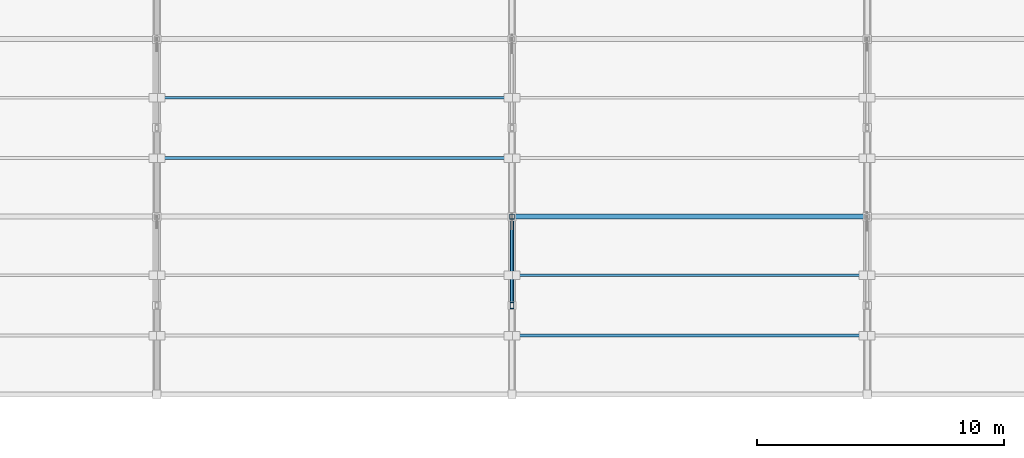
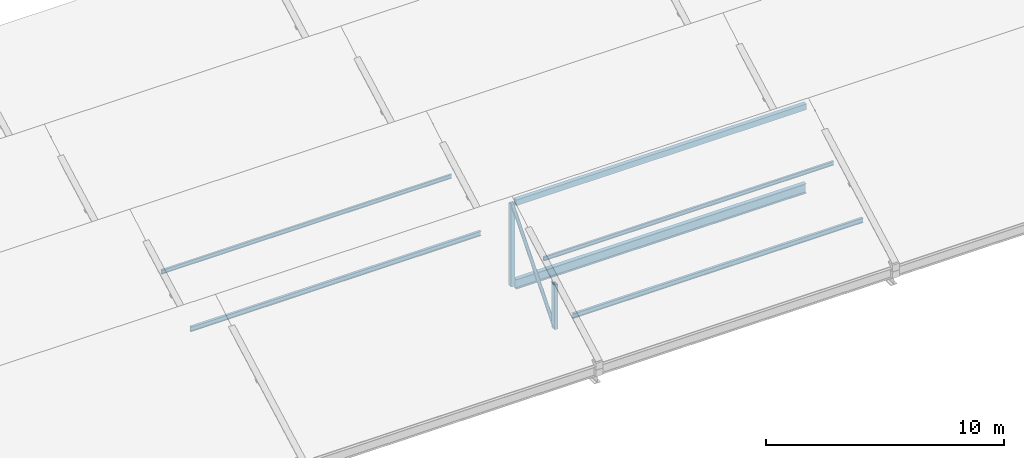
# One storey, part 14 of 51: 8 members, 1 beam.
"""IFC4 building model written with IfcOpenShell, lengths in metres."""

import ifcopenshell
import ifcopenshell.guid

model = None  # the IFC model being written
_history = None  # IfcOwnerHistory: only IFC2X3 demands one
_inside = {}  # id of a spatial element -> (the spatial element, [elements in it])
_under = {}  # id of a project, library or spatial element -> (it, [spatial elements below it])
_declared = {}  # id of a project -> (the project, [libraries it declares])
_typed = {}  # id of a type object -> (the type object, [elements of that type])
_made_of = {}  # id of a material, layer set ... -> (it, [elements and type objects made of it])


def new_model(schema):
    """Start an empty IFC model of exactly this schema.

    Asked for "IFC4X3", IfcOpenShell would pick the latest addendum, in which some entities
    have other attributes; the version numbers below select the first issue.
    IFC2X3 requires an IfcOwnerHistory on every rooted entity: one is made here for all.
    """
    global model, _history
    if schema == "IFC4X3":
        model = ifcopenshell.file(schema_version=(4, 3, 0, 0))
    else:
        model = ifcopenshell.file(schema=schema)
    _inside.clear()
    _under.clear()
    _declared.clear()
    _typed.clear()
    _made_of.clear()
    _history = None
    if model.schema == "IFC2X3":
        org = make("IfcOrganization", Name="unknown")
        user = make(
            "IfcPersonAndOrganization",
            ThePerson=make("IfcPerson", FamilyName="unknown"),
            TheOrganization=org,
        )
        app = make(
            "IfcApplication",
            ApplicationDeveloper=org,
            Version="unknown",
            ApplicationFullName="unknown",
            ApplicationIdentifier="unknown",
        )
        _history = make(
            "IfcOwnerHistory",
            OwningUser=user,
            OwningApplication=app,
            ChangeAction="ADDED",
            CreationDate=0,
        )
    return model


def make(cls, **values):
    """One entity of the class cls with the attributes given. An attribute that is None is left unset."""
    return model.create_entity(
        cls, **{name: value for name, value in values.items() if value is not None}
    )


def rooted(cls, **values):
    """An entity with a GlobalId (a new one), such as an element, a storey or a relation."""
    return make(cls, GlobalId=ifcopenshell.guid.new(), OwnerHistory=_history, **values)


def si_unit(unit_type, name, prefix=None):
    """IfcSIUnit, for example si_unit("LENGTHUNIT", "METRE", prefix="MILLI")."""
    return make("IfcSIUnit", UnitType=unit_type, Prefix=prefix, Name=name)


def assignment(units):
    """IfcUnitAssignment: the units of a project."""
    return None if units is None else make("IfcUnitAssignment", Units=units)


def point(xyz):
    """IfcCartesianPoint."""
    return None if xyz is None else make("IfcCartesianPoint", Coordinates=xyz)


def direction(xyz):
    """IfcDirection."""
    return None if xyz is None else make("IfcDirection", DirectionRatios=xyz)


def frame(location, z_axis=None, x_axis=None):
    """IfcAxis2Placement3D, a coordinate frame: its origin and axes. An axis left out is left unset."""
    return make(
        "IfcAxis2Placement3D",
        Location=point(location),
        Axis=direction(z_axis),
        RefDirection=direction(x_axis),
    )


def frame_2d(location, x_axis=None):
    """IfcAxis2Placement2D, a coordinate frame in the plane: its origin and x axis."""
    return make(
        "IfcAxis2Placement2D", Location=point(location), RefDirection=direction(x_axis)
    )


def origin():
    """The frame at (0, 0, 0) with its axes left unset."""
    return frame((0.0, 0.0, 0.0))


def origin_2d():
    """The frame at (0, 0) in the plane with its x axis left unset."""
    return frame_2d((0.0, 0.0))


def place(relative_to, where):
    """IfcLocalPlacement: puts the frame where relative to a parent placement (None: the world)."""
    return make(
        "IfcLocalPlacement", PlacementRelTo=relative_to, RelativePlacement=where
    )


def context(
    kind, dimensions, precision=None, world=None, true_north=None, identifier=None
):
    """IfcGeometricRepresentationContext, for example the 3D "Model" context."""
    return make(
        "IfcGeometricRepresentationContext",
        ContextIdentifier=identifier,
        ContextType=kind,
        CoordinateSpaceDimension=dimensions,
        Precision=precision,
        WorldCoordinateSystem=world,
        TrueNorth=true_north,
    )


def subcontext(parent, identifier, kind, view, scale=None):
    """IfcGeometricRepresentationSubContext, for example "Body" below "Model"."""
    return make(
        "IfcGeometricRepresentationSubContext",
        ContextIdentifier=identifier,
        ContextType=kind,
        ParentContext=parent,
        TargetScale=scale,
        TargetView=view,
    )


def project(units=None, contexts=None):
    """IfcProject with its units and contexts."""
    return rooted(
        "IfcProject",
        Name="project",
        RepresentationContexts=contexts,
        UnitsInContext=assignment(units),
    )


def spatial(cls, under=None, at=None, **own):
    """A site, building, storey or space (cls), placed at a placement, below another one or the project."""
    s = rooted(cls, ObjectPlacement=at, **own)
    if under is not None:
        _under.setdefault(under.id(), (under, []))[1].append(s)
    return s


def profile(cls, at=None, kind="AREA", **sizes):
    """A parametric profile (cls). Its sizes go by their IFC names, for example OverallWidth=200.0."""
    return make(cls, ProfileType=kind, Position=at, **sizes)


def hollow_rectangle(**sizes):
    """IfcRectangleHollowProfileDef."""
    return profile("IfcRectangleHollowProfileDef", **sizes)


def hollow_circle(**sizes):
    """IfcCircleHollowProfileDef."""
    return profile("IfcCircleHollowProfileDef", **sizes)


def i_section(**sizes):
    """IfcIShapeProfileDef."""
    return profile("IfcIShapeProfileDef", **sizes)


def extrude(swept, where, along, depth):
    """IfcExtrudedAreaSolid: the profile swept, set in the frame where, extruded along a direction by depth."""
    return make(
        "IfcExtrudedAreaSolid",
        SweptArea=swept,
        Position=where,
        ExtrudedDirection=direction(along),
        Depth=depth,
    )


def shape(context_of_items, identifier, shape_type, items):
    """IfcShapeRepresentation: the items that make up one representation, for example the "Body"."""
    return make(
        "IfcShapeRepresentation",
        ContextOfItems=context_of_items,
        RepresentationIdentifier=identifier,
        RepresentationType=shape_type,
        Items=items,
    )


def material(Name=None, Category=None):
    """IfcMaterial."""
    return make("IfcMaterial", Name=Name, Category=Category)


def material_profile(
    of_material, cross_section, Name=None, Category=None, Priority=None
):
    """IfcMaterialProfile: a cross section and its material."""
    return make(
        "IfcMaterialProfile",
        Name=Name,
        Material=of_material,
        Profile=cross_section,
        Priority=Priority,
        Category=Category,
    )


def profile_set(profiles, Name=None, composite=None):
    """IfcMaterialProfileSet."""
    return make(
        "IfcMaterialProfileSet",
        Name=Name,
        MaterialProfiles=profiles,
        CompositeProfile=composite,
    )


def made_of(thing, what):
    """Note that an element or type object is made of a material, layer set ...; save() writes the relation."""
    if what is not None:
        _made_of.setdefault(what.id(), (what, []))[1].append(thing)
    return thing


def type_object(cls, material=None, **own):
    """A type object (cls), such as IfcWallType, which elements share."""
    return made_of(rooted(cls, **own), material)


def element(
    cls,
    number,
    at=None,
    inside=None,
    cuts=None,
    type_object=None,
    material=None,
    context=None,
    identifier="Body",
    shape_type=None,
    held_by="IfcProductDefinitionShape",
    body=None,
    shapes=None,
    **own,
):
    """One element of the class cls, such as IfcWall. Its Tag is "e" and its number.

    at: its placement. inside: the storey or other place that contains it. cuts: it is an
    opening in that element (IfcRelVoidsElement). A single representation is given by context,
    identifier, shape_type and body (its items); several are given by shapes. held_by: the class
    of the entity that holds the representations. save() writes the other relations.
    """
    e = rooted(cls, Tag="e%d" % number, ObjectPlacement=at, **own)
    if body is not None:
        shapes = [shape(context, identifier, shape_type, body)]
    if shapes is not None:
        e.Representation = make(held_by, Representations=shapes)
    if inside is not None:
        _inside.setdefault(inside.id(), (inside, []))[1].append(e)
    if cuts is not None:
        rooted(
            "IfcRelVoidsElement", RelatingBuildingElement=cuts, RelatedOpeningElement=e
        )
    if type_object is not None:
        _typed.setdefault(type_object.id(), (type_object, []))[1].append(e)
    return made_of(e, material)


def aggregate(whole, parts):
    """IfcRelAggregates: a whole, such as a stair, and the parts it consists of."""
    return rooted("IfcRelAggregates", RelatingObject=whole, RelatedObjects=parts)


def save(model, path):
    """Write the relations noted so far, then the file.

    IfcRelAggregates (storeys below a building ...), IfcRelContainedInSpatialStructure (elements
    in a storey), IfcRelDefinesByType, IfcRelAssociatesMaterial and IfcRelDeclares: one each for
    every whole, place, type object, material and project.
    """
    for whole, parts in _under.values():
        aggregate(whole, parts)
    for where, things in _inside.values():
        rooted(
            "IfcRelContainedInSpatialStructure",
            RelatedElements=things,
            RelatingStructure=where,
        )
    for kind, things in _typed.values():
        rooted("IfcRelDefinesByType", RelatedObjects=things, RelatingType=kind)
    for what, things in _made_of.values():
        rooted("IfcRelAssociatesMaterial", RelatedObjects=things, RelatingMaterial=what)
    for by, libraries in _declared.values():
        rooted("IfcRelDeclares", RelatingContext=by, RelatedDefinitions=libraries)
    model.write(path)


model = new_model("IFC4")

# Units and contexts
model_context = context("Model", 3, precision=1e-05, world=origin(), true_north=direction((0.0, 1.0)))
body_context = subcontext(model_context, "Body", "Model", "MODEL_VIEW")
ifc_project = project(units=[si_unit("LENGTHUNIT", "METRE"), si_unit("AREAUNIT", "SQUARE_METRE"), si_unit("VOLUMEUNIT", "CUBIC_METRE"), si_unit("PLANEANGLEUNIT", "RADIAN"), si_unit("MASSUNIT", "GRAM", prefix="KILO")], contexts=[model_context])

# Site, building, storey
site_placement = place(None, origin())
site = spatial("IfcSite", under=ifc_project, at=site_placement, CompositionType="ELEMENT")
building_placement = place(site_placement, origin())
building = spatial("IfcBuilding", under=site, at=building_placement, Name="Valkovuoma Quantum and Materials Research Institute", CompositionType="ELEMENT")
storey_placement = place(building_placement, frame((0.0, 0.0, 17.280029296875)))
storey = spatial("IfcBuildingStorey", under=building, at=storey_placement, Name="L04", CompositionType="ELEMENT", Elevation=17.280029296875)

# Beam
ifc_material_1 = material(Name="Steel S355J2", Category="steel")
ifc_material_profile_1 = material_profile(ifc_material_1, i_section(OverallWidth=0.199951171875, OverallDepth=0.5, WebThickness=0.01025390625, FlangeThickness=0.01611328125, FilletRadius=0.02099609375, at=origin_2d()), Name="Steel S355J2")
ifc_profile_set_1 = profile_set([ifc_material_profile_1], Name="Steel S355J2")
beam_type = type_object("IfcBeamType", Name="Beam-B-IPE500", PredefinedType="BEAM", material=ifc_profile_set_1)
beam_placement = place(storey_placement, frame((72.14990234375, 43.199951171875, -0.300048828125), z_axis=(1.0, 0.0, 0.0), x_axis=(0.0, 1.0, 0.0)))
element("IfcBeam", 1, at=beam_placement, inside=storey, type_object=beam_type, Name="L04 VOL2 valley beam 2.3", PredefinedType="BEAM", context=body_context, shape_type="SweptSolid", body=[
    extrude(i_section(OverallWidth=0.199951171875, OverallDepth=0.5, WebThickness=0.01025390625, FlangeThickness=0.01611328125, FilletRadius=0.02099609375, at=origin_2d()), origin(), (0.0, 0.0, 1.0), 14.10009765625),
])

# Members
ifc_material_2 = material(Name="Steel S355J2H", Category="steel")
ifc_material_profile_2 = material_profile(ifc_material_2, hollow_circle(Radius=0.084228515625, WallThickness=0.008056640625, at=origin_2d()), Name="Steel S355J2H")
ifc_profile_set_2 = profile_set([ifc_material_profile_2], Name="Steel S355J2H")
member_type_1 = type_object("IfcMemberType", Name="Mem-M-BRC168", PredefinedType="BRACE", material=ifc_profile_set_2)
member_1_placement = place(storey_placement, frame((72.0, 39.60009765625, -0.35009765625), z_axis=(0.0, 0.647216384213, 0.762306337378), x_axis=(-1.0, 0.0, 0.0)))
element("IfcMember", 2, at=member_1_placement, inside=storey, type_object=member_type_1, Name="L04 VOL2 sawtooth web brace 3.1B", PredefinedType="BRACE", context=body_context, shape_type="SweptSolid", body=[
    extrude(hollow_circle(Radius=0.084228515625, WallThickness=0.008056640625, at=origin_2d()), origin(), (0.0, 0.0, 1.0), 5.56201171875),
])
ifc_material_3 = material(Name="Steel S355J2H", Category="steel")
ifc_material_profile_3 = material_profile(ifc_material_3, hollow_rectangle(XDim=0.199951171875, YDim=0.300048828125, WallThickness=0.012451171875, at=origin_2d()), Name="Steel S355J2H")
ifc_profile_set_3 = profile_set([ifc_material_profile_3], Name="Steel S355J2H")
member_type_2 = type_object("IfcMemberType", Name="Mem-M-CHD300", PredefinedType="CHORD", material=ifc_profile_set_3)
member_2_placement = place(storey_placement, frame((72.14990234375, 43.199951171875, 3.889892578125), z_axis=(1.0, 0.0, 0.0), x_axis=(0.0, 1.0, 0.0)))
element("IfcMember", 3, at=member_2_placement, inside=storey, type_object=member_type_2, Name="L04 VOL2 ridge chord 1.3", PredefinedType="CHORD", context=body_context, shape_type="SweptSolid", body=[
    extrude(hollow_rectangle(XDim=0.199951171875, YDim=0.300048828125, WallThickness=0.012451171875, at=origin_2d()), origin(), (0.0, 0.0, 1.0), 14.10009765625),
])
ifc_material_4 = material(Name="Steel S355J2", Category="steel")
ifc_material_profile_4 = material_profile(ifc_material_4, i_section(OverallWidth=0.10009765625, OverallDepth=0.199951171875, WebThickness=0.005615234375, FlangeThickness=0.008544921875, FilletRadius=0.011962890625, at=origin_2d()), Name="Steel S355J2")
ifc_profile_set_4 = profile_set([ifc_material_profile_4], Name="Steel S355J2")
member_type_3 = type_object("IfcMemberType", Name="Mem-M-PRL200", PredefinedType="PURLIN", material=ifc_profile_set_4)
for number, where, z_axis, x_axis, name in (
    (4, (72.14990234375, 40.823974609375, 2.405517578125), (1.0, 0.0, 0.0), (0.0, 1.0, 0.0), "L04 VOL2 roof purlin 1.3.2"),
    (5, (57.75, 48.02392578125, 2.405517578125), (1.0, 0.0, 0.0), (0.0, 1.0, 0.0), "L04 VOL2 roof purlin 2.2.2"),
):
    element("IfcMember", number, at=place(storey_placement, frame(where, z_axis=z_axis, x_axis=x_axis)), inside=storey, type_object=member_type_3, Name=name, PredefinedType="PURLIN", context=body_context, shape_type="SweptSolid", body=[
        extrude(i_section(OverallWidth=0.10009765625, OverallDepth=0.199951171875, WebThickness=0.005615234375, FlangeThickness=0.008544921875, FilletRadius=0.011962890625, at=origin_2d()), origin(), (0.0, 0.0, 1.0), 14.10009765625),
    ])
ifc_material_5 = material(Name="Steel S355J2", Category="steel")
ifc_material_profile_5 = material_profile(ifc_material_5, i_section(OverallWidth=0.1201171875, OverallDepth=0.239990234375, WebThickness=0.006103515625, FlangeThickness=0.009765625, FilletRadius=0.014892578125, at=origin_2d()), Name="Steel S355J2")
ifc_profile_set_5 = profile_set([ifc_material_profile_5], Name="Steel S355J2")
member_type_4 = type_object("IfcMemberType", Name="Mem-M-PRL240", PredefinedType="PURLIN", material=ifc_profile_set_5)
for number, where, z_axis, x_axis, name in (
    (6, (72.14990234375, 38.3759765625, 0.9638671875), (1.0, 0.0, 0.0), (0.0, 1.0, 0.0), "L04 VOL2 roof purlin 1.3.1"),
    (7, (57.75, 45.575927734375, 0.9638671875), (1.0, 0.0, 0.0), (0.0, 1.0, 0.0), "L04 VOL2 roof purlin 2.2.1"),
):
    element("IfcMember", number, at=place(storey_placement, frame(where, z_axis=z_axis, x_axis=x_axis)), inside=storey, type_object=member_type_4, Name=name, PredefinedType="PURLIN", context=body_context, shape_type="SweptSolid", body=[
        extrude(i_section(OverallWidth=0.1201171875, OverallDepth=0.239990234375, WebThickness=0.006103515625, FlangeThickness=0.009765625, FilletRadius=0.014892578125, at=origin_2d()), origin(), (0.0, 0.0, 1.0), 14.10009765625),
    ])
ifc_material_6 = material(Name="Steel S355J2H", Category="steel")
ifc_material_profile_6 = material_profile(ifc_material_6, hollow_rectangle(XDim=0.199951171875, YDim=0.199951171875, WallThickness=0.010009765625, at=origin_2d()), Name="Steel S355J2H")
ifc_profile_set_6 = profile_set([ifc_material_profile_6], Name="Steel S355J2H")
member_type_5 = type_object("IfcMemberType", Name="Mem-M-STR200", PredefinedType="STRUT", material=ifc_profile_set_6)
member_3_placement = place(storey_placement, frame((72.0, 43.199951171875, -0.35009765625), z_axis=(0.0, 0.0, 1.0), x_axis=(1.0, 0.0, 0.0)))
element("IfcMember", 8, at=member_3_placement, inside=storey, type_object=member_type_5, Name="L04 VOL2 sawtooth north post 3.1", PredefinedType="STRUT", context=body_context, shape_type="SweptSolid", body=[
    extrude(hollow_rectangle(XDim=0.199951171875, YDim=0.199951171875, WallThickness=0.010009765625, at=origin_2d()), origin(), (0.0, 0.0, 1.0), 4.239990234375),
])
ifc_material_7 = material(Name="Steel S355J2H", Category="steel")
ifc_material_profile_7 = material_profile(ifc_material_7, hollow_rectangle(XDim=0.14990234375, YDim=0.25, WallThickness=0.010009765625, at=origin_2d()), Name="Steel S355J2H")
ifc_profile_set_7 = profile_set([ifc_material_profile_7], Name="Steel S355J2H")
member_type_6 = type_object("IfcMemberType", Name="Mem-M-STR250R", PredefinedType="STRUT", material=ifc_profile_set_7)
member_4_placement = place(storey_placement, frame((72.0, 39.60009765625, -0.35009765625), z_axis=(0.0, 0.0, 1.0), x_axis=(1.0, 0.0, 0.0)))
element("IfcMember", 9, at=member_4_placement, inside=storey, type_object=member_type_6, Name="L04 VOL2 sawtooth mid strut 3.1", PredefinedType="STRUT", context=body_context, shape_type="SweptSolid", body=[
    extrude(hollow_rectangle(XDim=0.14990234375, YDim=0.25, WallThickness=0.010009765625, at=origin_2d()), origin(), (0.0, 0.0, 1.0), 2.295166015625),
])

save(model, "model.ifc")
